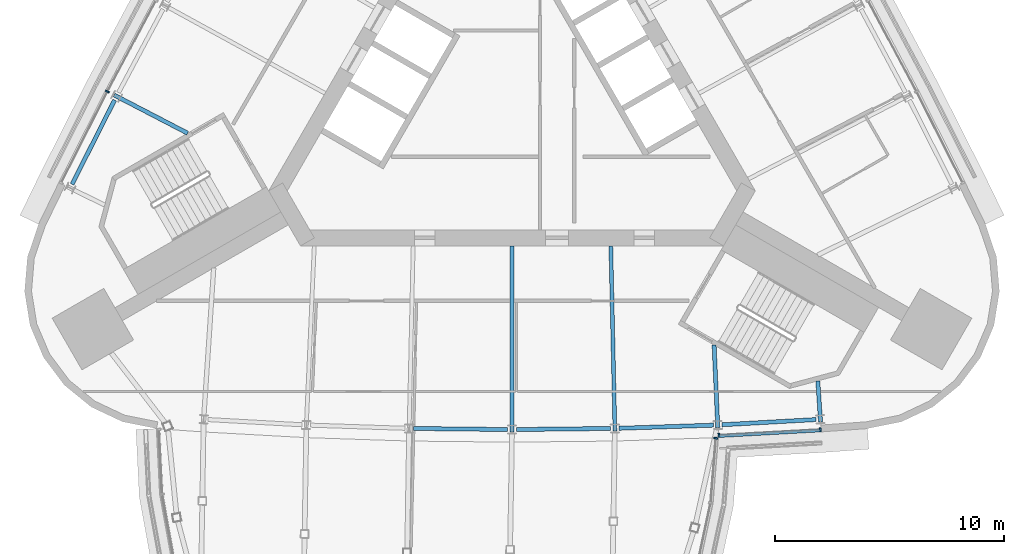
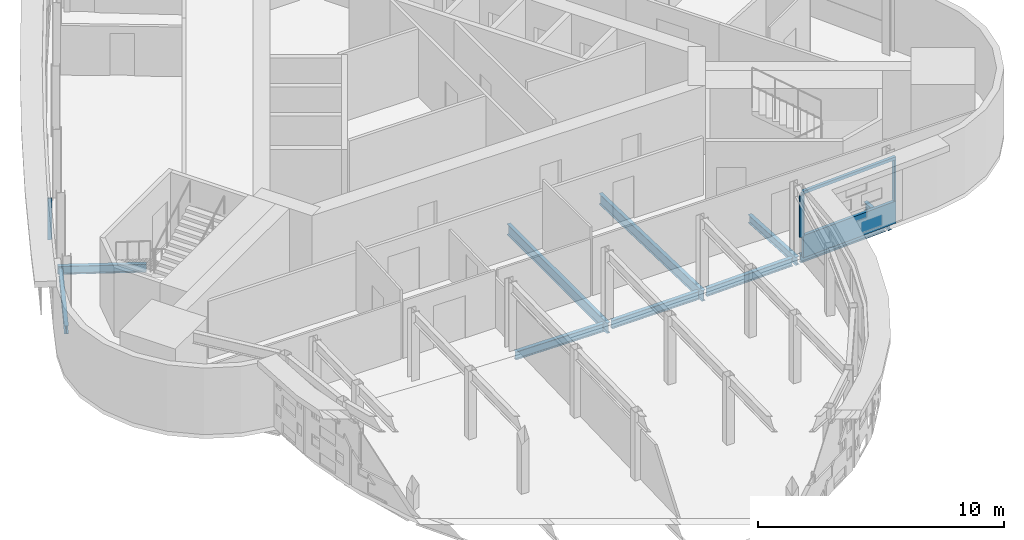
# One storey, part 5 of 15: 10 beams, 6 members, 3 elements without a shape of their own.
"""IFC4 building model written with IfcOpenShell, lengths in metres."""

from ifc_helpers import new_model, si_unit, direction, frame, origin, origin_2d, place, context, subcontext, project, spatial, polyline, rectangle, i_section, outline, extrude, material, material_profile, profile_set, type_object, element, aggregate, save


model = new_model("IFC4")

# Units and contexts
model_context = context("Model", 3, precision=1e-05, world=origin(), true_north=direction((0.0, 1.0)))
body_context = subcontext(model_context, "Body", "Model", "MODEL_VIEW")
ifc_project = project(units=[si_unit("LENGTHUNIT", "METRE"), si_unit("AREAUNIT", "SQUARE_METRE"), si_unit("VOLUMEUNIT", "CUBIC_METRE"), si_unit("PLANEANGLEUNIT", "RADIAN"), si_unit("MASSUNIT", "GRAM", prefix="KILO")], contexts=[model_context])

# Site, building, storey
site_placement = place(None, origin())
site = spatial("IfcSite", under=ifc_project, at=site_placement, CompositionType="ELEMENT")
building_placement = place(site_placement, origin())
building = spatial("IfcBuilding", under=site, at=building_placement, Name="Noor Cloister Tower", CompositionType="ELEMENT")
storey_placement = place(building_placement, frame((0.0, 0.0, 225.60009765625)))
storey = spatial("IfcBuildingStorey", under=building, at=storey_placement, Name="L58", CompositionType="ELEMENT", Elevation=225.60009765625)

# Curtain wall, member
ifc_material_1 = material(Name="Aluminium 6063-T6 anodised", Category="aluminium")
curtain_wall_type_1 = type_object("IfcCurtainWallType", Name="Ribbon curtain wall, upper tower CW5", PredefinedType="NOTDEFINED", material=ifc_material_1)
curtain_wall_1_placement = place(storey_placement, origin())
curtain_wall_1 = element("IfcCurtainWall", 1, at=curtain_wall_1_placement, inside=storey, type_object=curtain_wall_type_1, Name="CW5 L58 S run 3", PredefinedType="NOTDEFINED")
ifc_material_2 = material(Name="Aluminium 6063-T6 anodised", Category="aluminium")
member_type_1 = type_object("IfcMemberType", Name="Head transom CW5 150", PredefinedType="USERDEFINED", material=ifc_material_2)
member_1_placement = place(storey_placement, frame((0.0, 0.0, 3.14990234375)))
member_1 = element("IfcMember", 2, at=member_1_placement, type_object=member_type_1, Name="CW5 head transom", ObjectType="TRANSOM", PredefinedType="USERDEFINED", context=body_context, shape_type="SweptSolid", body=[
    extrude(outline(polyline([(8.9970703125, -15.291259765625), (13.489990234375, -15.04248046875), (13.482421875, -14.902587890625), (8.9892578125, -15.151611328125), (8.9970703125, -15.291259765625)])), origin(), (0.0, 0.0, 1.0), 0.14990234375),
])

curtain_wall_2_placement = place(storey_placement, origin())
curtain_wall_2 = element("IfcCurtainWall", 3, at=curtain_wall_2_placement, inside=storey, type_object=curtain_wall_type_1, Name="CW5 L58 NW run 1", PredefinedType="NOTDEFINED")
ifc_material_3 = material(Name="Aluminium 6063-T6 anodised", Category="aluminium")
ifc_material_profile_1 = material_profile(ifc_material_3, rectangle(XDim=0.179931640625, YDim=0.070068359375, at=origin_2d()), Name="180 x 70 mullion")
ifc_profile_set_1 = profile_set([ifc_material_profile_1], Name="Aluminium 6063-T6 anodised")
member_type_2 = type_object("IfcMemberType", Name="Mullion CW5 70 x 180", PredefinedType="MULLION", material=ifc_profile_set_1)
member_2_placement = place(storey_placement, frame((-17.652587890625, -0.192138671875, 1.099853515625), z_axis=(0.0, 0.0, 1.0), x_axis=(0.887303238306, -0.461186473449, 0.0)))
member_2 = element("IfcMember", 4, at=member_2_placement, type_object=member_type_2, Name="CW5 mullion 6", PredefinedType="MULLION", context=body_context, shape_type="SweptSolid", body=[
    extrude(rectangle(XDim=0.179931640625, YDim=0.070068359375, at=origin_2d()), origin(), (0.0, 0.0, 1.0), 2.050048828125),
])
aggregate(curtain_wall_2, [member_2])

# Member
member_3_placement = place(storey_placement, frame((9.0263671875, -15.189453125, 1.099853515625), z_axis=(0.0, 0.0, 1.0), x_axis=(-0.055305354532, 0.998469487646, 0.0)))
member_3 = element("IfcMember", 5, at=member_3_placement, type_object=member_type_2, Name="CW5 mullion 1", PredefinedType="MULLION", context=body_context, shape_type="SweptSolid", body=[
    extrude(rectangle(XDim=0.179931640625, YDim=0.070068359375, at=origin_2d()), origin(), (0.0, 0.0, 1.0), 2.050048828125),
])

member_4_placement = place(storey_placement, frame((13.44970703125, -14.944580078125, 1.099853515625), z_axis=(0.0, 0.0, 1.0), x_axis=(-0.055305354532, 0.998469487646, 0.0)))
member_4 = element("IfcMember", 6, at=member_4_placement, type_object=member_type_2, Name="CW5 mullion 2", PredefinedType="MULLION", context=body_context, shape_type="SweptSolid", body=[
    extrude(rectangle(XDim=0.179931640625, YDim=0.070068359375, at=origin_2d()), origin(), (0.0, 0.0, 1.0), 2.050048828125),
])

# Curtain wall, member
ifc_material_4 = material(Name="Aluminium 6063-T6 anodised", Category="aluminium")
curtain_wall_type_2 = type_object("IfcCurtainWallType", Name="Sky bar curtain wall, upper bars CW6", PredefinedType="NOTDEFINED", material=ifc_material_4)
curtain_wall_3_placement = place(storey_placement, origin())
curtain_wall_3 = element("IfcCurtainWall", 7, at=curtain_wall_3_placement, inside=storey, type_object=curtain_wall_type_2, Name="CW6 L58 S sky bar run 2", PredefinedType="NOTDEFINED")
ifc_material_5 = material(Name="Aluminium 6063-T6 anodised", Category="aluminium")
ifc_material_profile_2 = material_profile(ifc_material_5, rectangle(XDim=0.179931640625, YDim=0.070068359375, at=origin_2d()), Name="180 x 70 mullion")
ifc_profile_set_2 = profile_set([ifc_material_profile_2], Name="Aluminium 6063-T6 anodised")
member_type_3 = type_object("IfcMemberType", Name="Mullion CW6 70 x 180", PredefinedType="MULLION", material=ifc_profile_set_2)
member_5_placement = place(storey_placement, frame((8.89453125, -15.318115234375, 1.099853515625), z_axis=(0.0, 0.0, 1.0), x_axis=(-0.996727566111, 0.080834144736, 0.0)))
member_5 = element("IfcMember", 8, at=member_5_placement, type_object=member_type_3, Name="CW6 mullion 19", PredefinedType="MULLION", context=body_context, shape_type="SweptSolid", body=[
    extrude(rectangle(XDim=0.179931640625, YDim=0.070068359375, at=origin_2d()), origin(), (0.0, 0.0, 1.0), 2.050048828125),
])
aggregate(curtain_wall_3, [member_5])

# Beams
ifc_material_6 = material(Name="Steel ASTM A992 Gr 50", Category="steel")
ifc_material_profile_3 = material_profile(ifc_material_6, i_section(OverallWidth=0.177978515625, OverallDepth=0.406005859375, WebThickness=0.0078125, FlangeThickness=0.0126953125, FilletRadius=0.01025390625, at=origin_2d()), Name="W410x60")
ifc_profile_set_3 = profile_set([ifc_material_profile_3], Name="Steel ASTM A992 Gr 50")
beam_type_1 = type_object("IfcBeamType", Name="Radial beam W410x60", PredefinedType="BEAM", material=ifc_profile_set_3)
beam_1_placement = place(storey_placement, frame((-17.356201171875, -0.34619140625, -0.403076171875), z_axis=(0.887295423172, -0.461201509124, 0.0), x_axis=(0.461201509124, 0.887295423172, 0.0)))
element("IfcBeam", 9, at=beam_1_placement, inside=storey, type_object=beam_type_1, Name="Radial beam NW 06 L58", PredefinedType="BEAM", context=body_context, shape_type="SweptSolid", body=[
    extrude(i_section(OverallWidth=0.177978515625, OverallDepth=0.406005859375, WebThickness=0.0078125, FlangeThickness=0.0126953125, FilletRadius=0.01025390625, at=origin_2d()), origin(), (0.0, 0.0, 1.0), 3.609130859375),
])
beam_2_placement = place(storey_placement, frame((8.977783203125, -14.857666015625, -0.403076171875), z_axis=(-0.044241579343, 0.999020861973, 0.0), x_axis=(-0.999020861973, -0.044241579343, 0.0)))
element("IfcBeam", 10, at=beam_2_placement, inside=storey, type_object=beam_type_1, Name="Radial beam S 06 L58", PredefinedType="BEAM", context=body_context, shape_type="SweptSolid", body=[
    extrude(i_section(OverallWidth=0.177978515625, OverallDepth=0.406005859375, WebThickness=0.0078125, FlangeThickness=0.0126953125, FilletRadius=0.01025390625, at=origin_2d()), origin(), (0.0, 0.0, 1.0), 3.60888671875),
])
beam_3_placement = place(storey_placement, frame((13.461181640625, -14.609375, -0.403076171875), z_axis=(-0.066329561589, 0.997797769721, 0.0), x_axis=(-0.997797769721, -0.066329561589, 0.0)))
element("IfcBeam", 11, at=beam_3_placement, inside=storey, type_object=beam_type_1, Name="Radial beam S 07 L58", PredefinedType="BEAM", context=body_context, shape_type="SweptSolid", body=[
    extrude(i_section(OverallWidth=0.177978515625, OverallDepth=0.406005859375, WebThickness=0.0078125, FlangeThickness=0.0126953125, FilletRadius=0.01025390625, at=origin_2d()), origin(), (0.0, 0.0, 1.0), 1.796142578125),
])
ifc_material_7 = material(Name="Steel ASTM A992 Gr 50", Category="steel")
ifc_material_profile_4 = material_profile(ifc_material_7, i_section(OverallWidth=0.166015625, OverallDepth=0.528076171875, WebThickness=0.009765625, FlangeThickness=0.013671875, FilletRadius=0.0126953125, at=origin_2d()), Name="W530x74")
ifc_profile_set_4 = profile_set([ifc_material_profile_4], Name="Steel ASTM A992 Gr 50")
beam_type_2 = type_object("IfcBeamType", Name="Radial beam W530x74", PredefinedType="BEAM", material=ifc_profile_set_4)
beam_4_placement = place(storey_placement, frame((0.0, -15.056396484375, -0.464111328125), z_axis=(0.0, 1.0, 0.0), x_axis=(-1.0, 0.0, 0.0)))
element("IfcBeam", 12, at=beam_4_placement, inside=storey, type_object=beam_type_2, Name="Radial beam S 04 L58", PredefinedType="BEAM", context=body_context, shape_type="SweptSolid", body=[
    extrude(i_section(OverallWidth=0.166015625, OverallDepth=0.528076171875, WebThickness=0.009765625, FlangeThickness=0.013671875, FilletRadius=0.0126953125, at=origin_2d()), origin(), (0.0, 0.0, 1.0), 8.128173828125),
])
beam_5_placement = place(storey_placement, frame((4.489990234375, -15.0068359375, -0.464111328125), z_axis=(-0.022116076152, 0.999755409676, 0.0), x_axis=(-0.999755409676, -0.022116076152, 0.0)))
element("IfcBeam", 13, at=beam_5_placement, inside=storey, type_object=beam_type_2, Name="Radial beam S 05 L58", PredefinedType="BEAM", context=body_context, shape_type="SweptSolid", body=[
    extrude(i_section(OverallWidth=0.166015625, OverallDepth=0.528076171875, WebThickness=0.009765625, FlangeThickness=0.013671875, FilletRadius=0.0126953125, at=origin_2d()), origin(), (0.0, 0.0, 1.0), 8.08056640625),
])

# Member
ifc_material_8 = material(Name="Aluminium 6063-T6 anodised", Category="aluminium")
member_type_4 = type_object("IfcMemberType", Name="Sill transom CW5 1100", PredefinedType="USERDEFINED", material=ifc_material_8)
member_6_placement = place(storey_placement, origin())
member_6 = element("IfcMember", 14, at=member_6_placement, type_object=member_type_4, Name="CW5 sill transom", ObjectType="TRANSOM", PredefinedType="USERDEFINED", context=body_context, shape_type="SweptSolid", body=[
    extrude(outline(polyline([(8.9970703125, -15.291259765625), (13.489990234375, -15.04248046875), (13.482421875, -14.902587890625), (8.9892578125, -15.151611328125), (8.9970703125, -15.291259765625)])), origin(), (0.0, 0.0, 1.0), 1.099853515625),
])

aggregate(curtain_wall_1, [member_3, member_4, member_6, member_1])

# Beams
ifc_material_9 = material(Name="Steel ASTM A992 Gr 50", Category="steel")
ifc_material_profile_5 = material_profile(ifc_material_9, i_section(OverallWidth=0.177978515625, OverallDepth=0.406005859375, WebThickness=0.0078125, FlangeThickness=0.0126953125, FilletRadius=0.01025390625, at=origin_2d()), Name="W410x60")
ifc_profile_set_5 = profile_set([ifc_material_profile_5], Name="Steel ASTM A992 Gr 50")
beam_type_3 = type_object("IfcBeamType", Name="Spandrel beam W410x60", PredefinedType="SPANDREL", material=ifc_profile_set_5)
beam_6_placement = place(storey_placement, frame((-17.33740234375, -0.566162109375, -0.403076171875), z_axis=(-0.451362231773, -0.892340818146, 0.0), x_axis=(0.892340818146, -0.451362231773, 0.0)))
element("IfcBeam", 15, at=beam_6_placement, inside=storey, type_object=beam_type_3, Name="Spandrel beam NW 06 L58", PredefinedType="SPANDREL", context=body_context, shape_type="SweptSolid", body=[
    extrude(i_section(OverallWidth=0.177978515625, OverallDepth=0.406005859375, WebThickness=0.0078125, FlangeThickness=0.0126953125, FilletRadius=0.01025390625, at=origin_2d()), origin(), (0.0, 0.0, 1.0), 4.114501953125),
])
for number, where, z_axis, x_axis, name in (
    (16, (-4.301025390625, -14.892822265625, -0.403076171875), (0.999938445661, -0.011095264305, 0.0), (0.011095264305, 0.999938445661, 0.0), "Spandrel beam S 03 L58"),
    (17, (0.1865234375, -14.9384765625, -0.403076171875), (0.999938445661, 0.011095264305, 0.0), (-0.011095264305, 0.999938445661, 0.0), "Spandrel beam S 04 L58"),
    (18, (4.673828125, -14.884765625, -0.403076171875), (0.999447866334, 0.033225930849, 0.0), (-0.033225930849, 0.999447866334, 0.0), "Spandrel beam S 05 L58"),
    (19, (9.158935546875, -14.7314453125, -0.403076171875), (0.998469831997, 0.055299137356, 0.0), (-0.055299137356, 0.998469831997, 0.0), "Spandrel beam S 06 L58"),
):
    element("IfcBeam", number, at=place(storey_placement, frame(where, z_axis=z_axis, x_axis=x_axis)), inside=storey, type_object=beam_type_3, Name=name, PredefinedType="SPANDREL", context=body_context, shape_type="SweptSolid", body=[
        extrude(i_section(OverallWidth=0.177978515625, OverallDepth=0.406005859375, WebThickness=0.0078125, FlangeThickness=0.0126953125, FilletRadius=0.01025390625, at=origin_2d()), origin(), (0.0, 0.0, 1.0), 4.11474609375),
    ])

save(model, "model.ifc")
